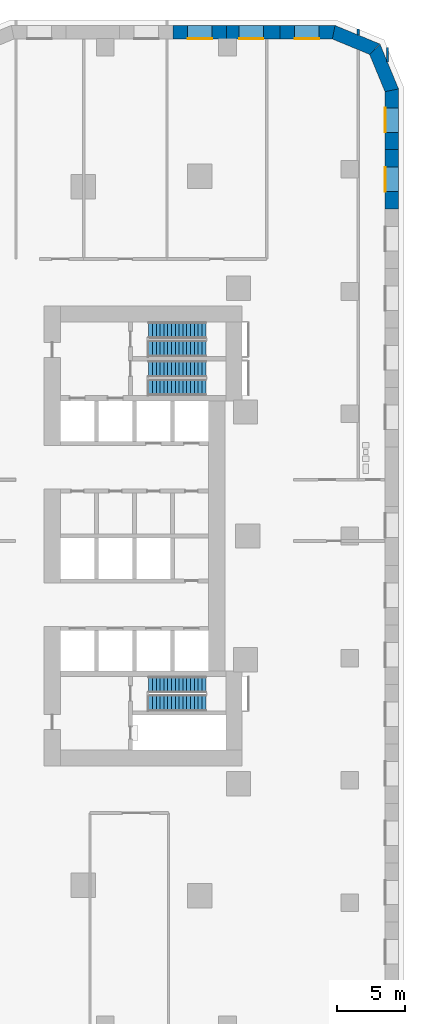
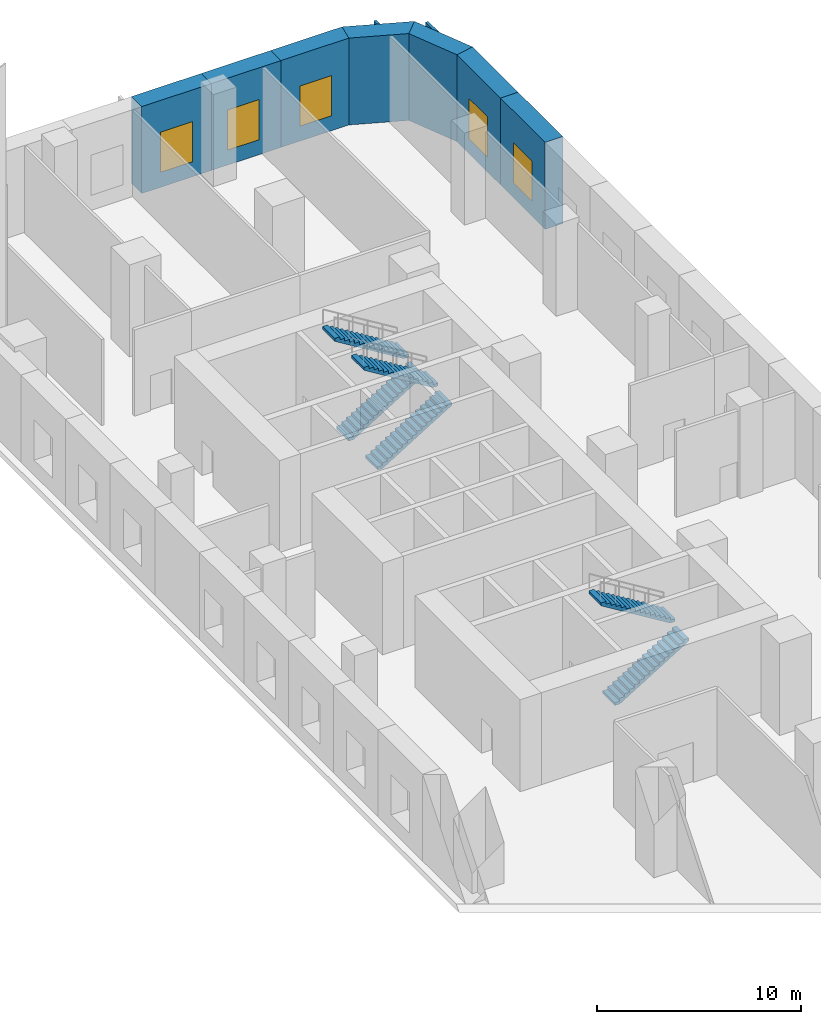
# One storey, part 6 of 12: 9 walls, 6 stair flights, 5 windows, 5 openings, 3 elements without a shape of their own.
"""IFC4 building model written with IfcOpenShell, lengths in metres."""

from ifc_helpers import new_model, si_unit, direction, frame, frame_2d, origin, place, context, subcontext, project, spatial, polyline, rectangle, outline, extrude, material, layer, layer_set, type_object, element, fill, aggregate, save


model = new_model("IFC4")

# Units and contexts
model_context = context("Model", 3, precision=1e-05, world=origin(), true_north=direction((0.0, 1.0)))
body_context = subcontext(model_context, "Body", "Model", "MODEL_VIEW")
ifc_project = project(units=[si_unit("LENGTHUNIT", "METRE"), si_unit("AREAUNIT", "SQUARE_METRE"), si_unit("VOLUMEUNIT", "CUBIC_METRE"), si_unit("PLANEANGLEUNIT", "RADIAN"), si_unit("MASSUNIT", "GRAM", prefix="KILO")], contexts=[model_context])

# Site, building, storey
site_placement = place(None, origin())
site = spatial("IfcSite", under=ifc_project, at=site_placement, CompositionType="ELEMENT")
building_placement = place(site_placement, origin())
building = spatial("IfcBuilding", under=site, at=building_placement, Name="Ostrand Prow Hotel Tower", CompositionType="ELEMENT")
storey_placement = place(building_placement, frame((0.0, 0.0, 8.0)))
storey = spatial("IfcBuildingStorey", under=building, at=storey_placement, Name="L01", CompositionType="ELEMENT", Elevation=8.0)

# Walls
ifc_material_1 = material(Name="Plasterboard partition")
ifc_layer_1 = layer(ifc_material_1, 0.14990234375)
ifc_layer_set_1 = layer_set([ifc_layer_1], Name="Plasterboard partition")
wall_type_1 = type_object("IfcWallType", Name="Partition 150 room partition", PredefinedType="PARTITIONING", material=ifc_layer_set_1)
wall_1_placement = place(storey_placement, frame((72.630615234375, 36.8916015625, 0.0), z_axis=(0.0, 0.0, 1.0), x_axis=(0.0, 1.0, 0.0)))
element("IfcWall", 1, at=wall_1_placement, inside=storey, type_object=wall_type_1, Name="ROOM PARTITION", PredefinedType="PARTITIONING", context=body_context, shape_type="SweptSolid", body=[
    extrude(rectangle(XDim=0.43310546875, YDim=0.14990234375, at=frame_2d((0.216552734375, 0.0))), origin(), (0.0, 0.0, 1.0), 5.14990234375),
])
wall_2_placement = place(storey_placement, frame((74.77490234375, 34.91259765625, 0.0), z_axis=(0.0, 0.0, 1.0), x_axis=(0.0, 1.0, 0.0)))
element("IfcWall", 2, at=wall_2_placement, inside=storey, type_object=wall_type_1, Name="ROOM PARTITION", PredefinedType="PARTITIONING", context=body_context, shape_type="SweptSolid", body=[
    extrude(rectangle(XDim=1.04541015625, YDim=0.14990234375, at=frame_2d((0.522705078125, 0.0))), origin(), (0.0, 0.0, 1.0), 5.14990234375),
])

# Wall, opening, window
ifc_material_2 = material(Name="Precast concrete C40/50", Category="concrete")
ifc_layer_2 = layer(ifc_material_2, 1.0)
ifc_layer_set_2 = layer_set([ifc_layer_2], Name="Precast concrete C40/50")
wall_type_2 = type_object("IfcWallType", Name="Portal pier wall 1000 mm", PredefinedType="NOTDEFINED", material=ifc_layer_set_2)
wall_3_placement = place(storey_placement, frame((75.10009765625, 24.068603515625, 0.0), z_axis=(0.0, 0.0, 1.0), x_axis=(0.0, 1.0, 0.0)))
wall_3 = element("IfcWall", 3, at=wall_3_placement, inside=storey, type_object=wall_type_2, Name="Portal pier wall L01-PP121", PredefinedType="NOTDEFINED", context=body_context, shape_type="SweptSolid", body=[
    extrude(outline(polyline([(0.0, -0.5), (4.376220703125, -0.5), (4.376220703125, 0.5), (0.0, 0.5), (0.0, -0.5)])), origin(), (0.0, 0.0, 1.0), 5.199951171875),
])
opening_1_placement = place(wall_3_placement, frame((1.2880859375, 0.0, 0.89990234375)))
opening_1 = element("IfcOpeningElement", 4, at=opening_1_placement, cuts=wall_3, Name="Opening WP2", PredefinedType="OPENING", context=body_context, shape_type="SweptSolid", body=[
    extrude(rectangle(XDim=1.800048828125, YDim=2.39990234375, at=frame_2d((0.89990234375, 1.199951171875))), frame((0.0, 0.510009765625, 0.0), z_axis=(0.0, -1.0, 0.0), x_axis=(1.0, 0.0, 0.0)), (0.0, 0.0, 1.0), 1.02001953125),
])
ifc_material_3 = material(Name="Insulated glass in bronze anodised frame", Category="glass")
window_type = type_object("IfcWindowType", Name="Portal window 1800x2400", PartitioningType="SINGLE_PANEL", PredefinedType="WINDOW", material=ifc_material_3)
window_1_placement = place(opening_1_placement, origin())
window_1 = element("IfcWindow", 5, at=window_1_placement, inside=storey, type_object=window_type, Name="Portal window L01-PP121", OverallHeight=2.39990234375, OverallWidth=1.800048828125, PartitioningType="SINGLE_PANEL", PredefinedType="WINDOW", context=body_context, shape_type="SweptSolid", body=[
    extrude(rectangle(XDim=1.800048828125, YDim=2.39990234375, at=frame_2d((0.89990234375, 1.199951171875))), frame((0.0, 0.5, 0.0), z_axis=(0.0, -1.0, 0.0), x_axis=(1.0, 0.0, 0.0)), (0.0, 0.0, 1.0), 0.06005859375),
])
fill(opening_1, window_1)

wall_4_placement = place(storey_placement, frame((75.10009765625, 28.44482421875, 0.0), z_axis=(0.0, 0.0, 1.0), x_axis=(0.0, 1.0, 0.0)))
wall_4 = element("IfcWall", 6, at=wall_4_placement, inside=storey, type_object=wall_type_2, Name="Portal pier wall L01-PP122", PredefinedType="NOTDEFINED", context=body_context, shape_type="SweptSolid", body=[
    extrude(outline(polyline([(0.0, -0.5), (4.475830078125, -0.5), (4.276611328125, 0.5), (0.0, 0.5), (0.0, -0.5)])), origin(), (0.0, 0.0, 1.0), 5.199951171875),
])
opening_2_placement = place(wall_4_placement, frame((1.2880859375, 0.0, 0.89990234375)))
opening_2 = element("IfcOpeningElement", 7, at=opening_2_placement, cuts=wall_4, Name="Opening WP2", PredefinedType="OPENING", context=body_context, shape_type="SweptSolid", body=[
    extrude(rectangle(XDim=1.800048828125, YDim=2.39990234375, at=frame_2d((0.89990234375, 1.199951171875))), frame((0.0, 0.510009765625, 0.0), z_axis=(0.0, -1.0, 0.0), x_axis=(1.0, 0.0, 0.0)), (0.0, 0.0, 1.0), 1.02001953125),
])
window_2_placement = place(opening_2_placement, origin())
window_2 = element("IfcWindow", 8, at=window_2_placement, inside=storey, type_object=window_type, Name="Portal window L01-PP122", OverallHeight=2.39990234375, OverallWidth=1.800048828125, PartitioningType="SINGLE_PANEL", PredefinedType="WINDOW", context=body_context, shape_type="SweptSolid", body=[
    extrude(rectangle(XDim=1.800048828125, YDim=2.39990234375, at=frame_2d((0.89990234375, 1.199951171875))), frame((0.0, 0.5, 0.0), z_axis=(0.0, -1.0, 0.0), x_axis=(1.0, 0.0, 0.0)), (0.0, 0.0, 1.0), 0.06005859375),
])
fill(opening_2, window_2)

# Walls
wall_5_placement = place(storey_placement, frame((75.10009765625, 32.821044921875, 0.0), z_axis=(0.0, 0.0, 1.0), x_axis=(-0.382724875529, 0.923862365102, 0.0)))
element("IfcWall", 9, at=wall_5_placement, inside=storey, type_object=wall_type_2, Name="Portal pier wall L01-PP123", PredefinedType="NOTDEFINED", context=body_context, shape_type="SweptSolid", body=[
    extrude(outline(polyline([(-0.099609375, -0.5), (3.48193359375, -0.5), (3.06787109375, 0.5), (0.099609375, 0.5), (-0.099609375, -0.5)])), origin(), (0.0, 0.0, 1.0), 5.199951171875),
])
wall_6_placement = place(storey_placement, frame((73.8466796875, 35.8466796875, 0.0), z_axis=(0.0, 0.0, 1.0), x_axis=(-0.923862365102, 0.382724875529, 0.0)))
element("IfcWall", 10, at=wall_6_placement, inside=storey, type_object=wall_type_2, Name="Portal pier wall L01-PP124", PredefinedType="NOTDEFINED", context=body_context, shape_type="SweptSolid", body=[
    extrude(outline(polyline([(-0.20703125, -0.5), (3.37451171875, -0.5), (3.17529296875, 0.5), (0.20703125, 0.5), (-0.20703125, -0.5)])), origin(), (0.0, 0.0, 1.0), 5.199951171875),
])

# Wall, opening, window
wall_7_placement = place(storey_placement, frame((70.821044921875, 37.10009765625, 0.0), z_axis=(0.0, 0.0, 1.0), x_axis=(-1.0, 0.0, 0.0)))
wall_7 = element("IfcWall", 11, at=wall_7_placement, inside=storey, type_object=wall_type_2, Name="Portal pier wall L01-PP125", PredefinedType="NOTDEFINED", context=body_context, shape_type="SweptSolid", body=[
    extrude(outline(polyline([(-0.099609375, -0.5), (3.9404296875, -0.5), (3.9404296875, 0.5), (0.099609375, 0.5), (-0.099609375, -0.5)])), origin(), (0.0, 0.0, 1.0), 5.199951171875),
])
opening_3_placement = place(wall_7_placement, frame((1.0703125, 0.0, 0.89990234375)))
opening_3 = element("IfcOpeningElement", 12, at=opening_3_placement, cuts=wall_7, Name="Opening WP2", PredefinedType="OPENING", context=body_context, shape_type="SweptSolid", body=[
    extrude(rectangle(XDim=1.800048828125, YDim=2.39990234375, at=frame_2d((0.89990234375, 1.199951171875))), frame((0.0, 0.510009765625, 0.0), z_axis=(0.0, -1.0, 0.0), x_axis=(1.0, 0.0, 0.0)), (0.0, 0.0, 1.0), 1.02001953125),
])
window_3_placement = place(opening_3_placement, origin())
window_3 = element("IfcWindow", 13, at=window_3_placement, inside=storey, type_object=window_type, Name="Portal window L01-PP125", OverallHeight=2.39990234375, OverallWidth=1.800048828125, PartitioningType="SINGLE_PANEL", PredefinedType="WINDOW", context=body_context, shape_type="SweptSolid", body=[
    extrude(rectangle(XDim=1.800048828125, YDim=2.39990234375, at=frame_2d((0.89990234375, 1.199951171875))), frame((0.0, 0.5, 0.0), z_axis=(0.0, -1.0, 0.0), x_axis=(1.0, 0.0, 0.0)), (0.0, 0.0, 1.0), 0.06005859375),
])
fill(opening_3, window_3)

wall_8_placement = place(storey_placement, frame((66.880615234375, 37.10009765625, 0.0), z_axis=(0.0, 0.0, 1.0), x_axis=(-1.0, 0.0, 0.0)))
wall_8 = element("IfcWall", 14, at=wall_8_placement, inside=storey, type_object=wall_type_2, Name="Portal pier wall L01-PP126", PredefinedType="NOTDEFINED", context=body_context, shape_type="SweptSolid", body=[
    extrude(outline(polyline([(0.0, -0.5), (3.9404296875, -0.5), (3.9404296875, 0.5), (0.0, 0.5), (0.0, -0.5)])), origin(), (0.0, 0.0, 1.0), 5.199951171875),
])
opening_4_placement = place(wall_8_placement, frame((1.230224609375, 0.0, 0.89990234375)))
opening_4 = element("IfcOpeningElement", 15, at=opening_4_placement, cuts=wall_8, Name="Opening WP2", PredefinedType="OPENING", context=body_context, shape_type="SweptSolid", body=[
    extrude(rectangle(XDim=1.800048828125, YDim=2.39990234375, at=frame_2d((0.89990234375, 1.199951171875))), frame((0.0, 0.510009765625, 0.0), z_axis=(0.0, -1.0, 0.0), x_axis=(1.0, 0.0, 0.0)), (0.0, 0.0, 1.0), 1.02001953125),
])
window_4_placement = place(opening_4_placement, origin())
window_4 = element("IfcWindow", 16, at=window_4_placement, inside=storey, type_object=window_type, Name="Portal window L01-PP126", OverallHeight=2.39990234375, OverallWidth=1.800048828125, PartitioningType="SINGLE_PANEL", PredefinedType="WINDOW", context=body_context, shape_type="SweptSolid", body=[
    extrude(rectangle(XDim=1.800048828125, YDim=2.39990234375, at=frame_2d((0.89990234375, 1.199951171875))), frame((0.0, 0.5, 0.0), z_axis=(0.0, -1.0, 0.0), x_axis=(1.0, 0.0, 0.0)), (0.0, 0.0, 1.0), 0.06005859375),
])
fill(opening_4, window_4)

wall_9_placement = place(storey_placement, frame((62.940185546875, 37.10009765625, 0.0), z_axis=(0.0, 0.0, 1.0), x_axis=(-1.0, 0.0, 0.0)))
wall_9 = element("IfcWall", 17, at=wall_9_placement, inside=storey, type_object=wall_type_2, Name="Portal pier wall L01-PP127", PredefinedType="NOTDEFINED", context=body_context, shape_type="SweptSolid", body=[
    extrude(outline(polyline([(0.0, -0.5), (3.940185546875, -0.5), (3.940185546875, 0.5), (0.0, 0.5), (0.0, -0.5)])), origin(), (0.0, 0.0, 1.0), 5.199951171875),
])
opening_5_placement = place(wall_9_placement, frame((1.0703125, 0.0, 0.89990234375)))
opening_5 = element("IfcOpeningElement", 18, at=opening_5_placement, cuts=wall_9, Name="Opening WP2", PredefinedType="OPENING", context=body_context, shape_type="SweptSolid", body=[
    extrude(rectangle(XDim=1.800048828125, YDim=2.39990234375, at=frame_2d((0.89990234375, 1.199951171875))), frame((0.0, 0.510009765625, 0.0), z_axis=(0.0, -1.0, 0.0), x_axis=(1.0, 0.0, 0.0)), (0.0, 0.0, 1.0), 1.02001953125),
])
window_5_placement = place(opening_5_placement, origin())
window_5 = element("IfcWindow", 19, at=window_5_placement, inside=storey, type_object=window_type, Name="Portal window L01-PP127", OverallHeight=2.39990234375, OverallWidth=1.800048828125, PartitioningType="SINGLE_PANEL", PredefinedType="WINDOW", context=body_context, shape_type="SweptSolid", body=[
    extrude(rectangle(XDim=1.800048828125, YDim=2.39990234375, at=frame_2d((0.89990234375, 1.199951171875))), frame((0.0, 0.5, 0.0), z_axis=(0.0, -1.0, 0.0), x_axis=(1.0, 0.0, 0.0)), (0.0, 0.0, 1.0), 0.06005859375),
])
fill(opening_5, window_5)

# Stair, stair flights
ifc_material_4 = material(Name="Concrete C40/50", Category="concrete")
stair_type = type_object("IfcStairType", Name="Exit stair 1200 middle zone", PredefinedType="HALF_TURN_STAIR", material=ifc_material_4)
stair_1_placement = place(storey_placement, origin())
stair_1 = element("IfcStair", 20, at=stair_1_placement, inside=storey, type_object=stair_type, Name="L01 ST1B", PredefinedType="HALF_TURN_STAIR")
ifc_material_5 = material(Name="Concrete C40/50", Category="concrete")
stair_flight_type = type_object("IfcStairFlightType", Name="Stair flight 1200 concrete", PredefinedType="STRAIGHT", material=ifc_material_5)
stair_flight_1_placement = place(storey_placement, frame((57.199951171875, 10.949951171875, 0.0), z_axis=(0.0, 0.0, 1.0), x_axis=(1.0, 0.0, 0.0)))
stair_flight_1 = element("IfcStairFlight", 21, at=stair_flight_1_placement, type_object=stair_flight_type, Name="ST1B flight 1", NumberOfRisers=16, NumberOfTreads=15, PredefinedType="STRAIGHT", RiserHeight=0.171875, TreadLength=0.28, context=body_context, shape_type="SweptSolid", body=[
    extrude(outline(polyline([(0.0, 0.0), (0.0, 0.171875), (0.280029296875, 0.171875), (0.280029296875, 0.34375), (0.56005859375, 0.34375), (0.56005859375, 0.515625), (0.840087890625, 0.515625), (0.840087890625, 0.6875), (1.1201171875, 0.6875), (1.1201171875, 0.859375), (1.39990234375, 0.859375), (1.39990234375, 1.03125), (1.679931640625, 1.03125), (1.679931640625, 1.203125), (1.9599609375, 1.203125), (1.9599609375, 1.375), (2.239990234375, 1.375), (2.239990234375, 1.546875), (2.52001953125, 1.546875), (2.52001953125, 1.71875), (2.800048828125, 1.71875), (2.800048828125, 1.890625), (3.080078125, 1.890625), (3.080078125, 2.0625), (3.360107421875, 2.0625), (3.360107421875, 2.234375), (3.639892578125, 2.234375), (3.639892578125, 2.40625), (3.919921875, 2.40625), (3.919921875, 2.578125), (4.199951171875, 2.578125), (4.199951171875, 2.75), (4.199951171875, 2.40234375), (0.28662109375, 0.0), (0.0, 0.0)])), frame((0.0, 0.60009765625, 0.0), z_axis=(0.0, -1.0, 0.0), x_axis=(1.0, 0.0, 0.0)), (0.0, 0.0, 1.0), 1.199951171875),
])
stair_flight_2_placement = place(storey_placement, frame((61.39990234375, 12.300048828125, 2.75), z_axis=(0.0, 0.0, 1.0), x_axis=(-1.0, 0.0, 0.0)))
stair_flight_2 = element("IfcStairFlight", 22, at=stair_flight_2_placement, type_object=stair_flight_type, Name="ST1B flight 2", NumberOfRisers=16, NumberOfTreads=15, PredefinedType="STRAIGHT", RiserHeight=0.171875, TreadLength=0.28, context=body_context, shape_type="SweptSolid", body=[
    extrude(outline(polyline([(0.0, 0.0), (0.0, 0.171875), (0.280029296875, 0.171875), (0.280029296875, 0.34375), (0.56005859375, 0.34375), (0.56005859375, 0.515625), (0.840087890625, 0.515625), (0.840087890625, 0.6875), (1.1201171875, 0.6875), (1.1201171875, 0.859375), (1.39990234375, 0.859375), (1.39990234375, 1.03125), (1.679931640625, 1.03125), (1.679931640625, 1.203125), (1.9599609375, 1.203125), (1.9599609375, 1.375), (2.239990234375, 1.375), (2.239990234375, 1.546875), (2.52001953125, 1.546875), (2.52001953125, 1.71875), (2.800048828125, 1.71875), (2.800048828125, 1.890625), (3.080078125, 1.890625), (3.080078125, 2.0625), (3.360107421875, 2.0625), (3.360107421875, 2.234375), (3.639892578125, 2.234375), (3.639892578125, 2.40625), (3.919921875, 2.40625), (3.919921875, 2.578125), (4.199951171875, 2.578125), (4.199951171875, 2.75), (4.199951171875, 2.40234375), (0.28662109375, 0.0), (0.0, 0.0)])), frame((0.0, 0.60009765625, 0.0), z_axis=(0.0, -1.0, 0.0), x_axis=(1.0, 0.0, 0.0)), (0.0, 0.0, 1.0), 1.199951171875),
])
aggregate(stair_1, [stair_flight_1, stair_flight_2])

stair_2_placement = place(storey_placement, origin())
stair_2 = element("IfcStair", 23, at=stair_2_placement, inside=storey, type_object=stair_type, Name="L01 ST3B", PredefinedType="HALF_TURN_STAIR")
stair_flight_3_placement = place(storey_placement, frame((57.199951171875, 13.800048828125, 0.0), z_axis=(0.0, 0.0, 1.0), x_axis=(1.0, 0.0, 0.0)))
stair_flight_3 = element("IfcStairFlight", 24, at=stair_flight_3_placement, type_object=stair_flight_type, Name="ST3B flight 1", NumberOfRisers=16, NumberOfTreads=15, PredefinedType="STRAIGHT", RiserHeight=0.171875, TreadLength=0.28, context=body_context, shape_type="SweptSolid", body=[
    extrude(outline(polyline([(0.0, 0.0), (0.0, 0.171875), (0.280029296875, 0.171875), (0.280029296875, 0.34375), (0.56005859375, 0.34375), (0.56005859375, 0.515625), (0.840087890625, 0.515625), (0.840087890625, 0.6875), (1.1201171875, 0.6875), (1.1201171875, 0.859375), (1.39990234375, 0.859375), (1.39990234375, 1.03125), (1.679931640625, 1.03125), (1.679931640625, 1.203125), (1.9599609375, 1.203125), (1.9599609375, 1.375), (2.239990234375, 1.375), (2.239990234375, 1.546875), (2.52001953125, 1.546875), (2.52001953125, 1.71875), (2.800048828125, 1.71875), (2.800048828125, 1.890625), (3.080078125, 1.890625), (3.080078125, 2.0625), (3.360107421875, 2.0625), (3.360107421875, 2.234375), (3.639892578125, 2.234375), (3.639892578125, 2.40625), (3.919921875, 2.40625), (3.919921875, 2.578125), (4.199951171875, 2.578125), (4.199951171875, 2.75), (4.199951171875, 2.40234375), (0.28662109375, 0.0), (0.0, 0.0)])), frame((0.0, 0.60009765625, 0.0), z_axis=(0.0, -1.0, 0.0), x_axis=(1.0, 0.0, 0.0)), (0.0, 0.0, 1.0), 1.199951171875),
])
stair_flight_4_placement = place(storey_placement, frame((61.39990234375, 15.14990234375, 2.75), z_axis=(0.0, 0.0, 1.0), x_axis=(-1.0, 0.0, 0.0)))
stair_flight_4 = element("IfcStairFlight", 25, at=stair_flight_4_placement, type_object=stair_flight_type, Name="ST3B flight 2", NumberOfRisers=16, NumberOfTreads=15, PredefinedType="STRAIGHT", RiserHeight=0.171875, TreadLength=0.28, context=body_context, shape_type="SweptSolid", body=[
    extrude(outline(polyline([(0.0, 0.0), (0.0, 0.171875), (0.280029296875, 0.171875), (0.280029296875, 0.34375), (0.56005859375, 0.34375), (0.56005859375, 0.515625), (0.840087890625, 0.515625), (0.840087890625, 0.6875), (1.1201171875, 0.6875), (1.1201171875, 0.859375), (1.39990234375, 0.859375), (1.39990234375, 1.03125), (1.679931640625, 1.03125), (1.679931640625, 1.203125), (1.9599609375, 1.203125), (1.9599609375, 1.375), (2.239990234375, 1.375), (2.239990234375, 1.546875), (2.52001953125, 1.546875), (2.52001953125, 1.71875), (2.800048828125, 1.71875), (2.800048828125, 1.890625), (3.080078125, 1.890625), (3.080078125, 2.0625), (3.360107421875, 2.0625), (3.360107421875, 2.234375), (3.639892578125, 2.234375), (3.639892578125, 2.40625), (3.919921875, 2.40625), (3.919921875, 2.578125), (4.199951171875, 2.578125), (4.199951171875, 2.75), (4.199951171875, 2.40234375), (0.28662109375, 0.0), (0.0, 0.0)])), frame((0.0, 0.60009765625, 0.0), z_axis=(0.0, -1.0, 0.0), x_axis=(1.0, 0.0, 0.0)), (0.0, 0.0, 1.0), 1.199951171875),
])
aggregate(stair_2, [stair_flight_3, stair_flight_4])

stair_3_placement = place(storey_placement, origin())
stair_3 = element("IfcStair", 26, at=stair_3_placement, inside=storey, type_object=stair_type, Name="L01 ST2B", PredefinedType="HALF_TURN_STAIR")
stair_flight_5_placement = place(storey_placement, frame((57.199951171875, -12.300048828125, 0.0), z_axis=(0.0, 0.0, 1.0), x_axis=(1.0, 0.0, 0.0)))
stair_flight_5 = element("IfcStairFlight", 27, at=stair_flight_5_placement, type_object=stair_flight_type, Name="ST2B flight 1", NumberOfRisers=16, NumberOfTreads=15, PredefinedType="STRAIGHT", RiserHeight=0.171875, TreadLength=0.28, context=body_context, shape_type="SweptSolid", body=[
    extrude(outline(polyline([(0.0, 0.0), (0.0, 0.171875), (0.280029296875, 0.171875), (0.280029296875, 0.34375), (0.56005859375, 0.34375), (0.56005859375, 0.515625), (0.840087890625, 0.515625), (0.840087890625, 0.6875), (1.1201171875, 0.6875), (1.1201171875, 0.859375), (1.39990234375, 0.859375), (1.39990234375, 1.03125), (1.679931640625, 1.03125), (1.679931640625, 1.203125), (1.9599609375, 1.203125), (1.9599609375, 1.375), (2.239990234375, 1.375), (2.239990234375, 1.546875), (2.52001953125, 1.546875), (2.52001953125, 1.71875), (2.800048828125, 1.71875), (2.800048828125, 1.890625), (3.080078125, 1.890625), (3.080078125, 2.0625), (3.360107421875, 2.0625), (3.360107421875, 2.234375), (3.639892578125, 2.234375), (3.639892578125, 2.40625), (3.919921875, 2.40625), (3.919921875, 2.578125), (4.199951171875, 2.578125), (4.199951171875, 2.75), (4.199951171875, 2.40234375), (0.28662109375, 0.0), (0.0, 0.0)])), frame((0.0, 0.60009765625, 0.0), z_axis=(0.0, -1.0, 0.0), x_axis=(1.0, 0.0, 0.0)), (0.0, 0.0, 1.0), 1.199951171875),
])
stair_flight_6_placement = place(storey_placement, frame((61.39990234375, -10.949951171875, 2.75), z_axis=(0.0, 0.0, 1.0), x_axis=(-1.0, 0.0, 0.0)))
stair_flight_6 = element("IfcStairFlight", 28, at=stair_flight_6_placement, type_object=stair_flight_type, Name="ST2B flight 2", NumberOfRisers=16, NumberOfTreads=15, PredefinedType="STRAIGHT", RiserHeight=0.171875, TreadLength=0.28, context=body_context, shape_type="SweptSolid", body=[
    extrude(outline(polyline([(0.0, 0.0), (0.0, 0.171875), (0.280029296875, 0.171875), (0.280029296875, 0.34375), (0.56005859375, 0.34375), (0.56005859375, 0.515625), (0.840087890625, 0.515625), (0.840087890625, 0.6875), (1.1201171875, 0.6875), (1.1201171875, 0.859375), (1.39990234375, 0.859375), (1.39990234375, 1.03125), (1.679931640625, 1.03125), (1.679931640625, 1.203125), (1.9599609375, 1.203125), (1.9599609375, 1.375), (2.239990234375, 1.375), (2.239990234375, 1.546875), (2.52001953125, 1.546875), (2.52001953125, 1.71875), (2.800048828125, 1.71875), (2.800048828125, 1.890625), (3.080078125, 1.890625), (3.080078125, 2.0625), (3.360107421875, 2.0625), (3.360107421875, 2.234375), (3.639892578125, 2.234375), (3.639892578125, 2.40625), (3.919921875, 2.40625), (3.919921875, 2.578125), (4.199951171875, 2.578125), (4.199951171875, 2.75), (4.199951171875, 2.40234375), (0.28662109375, 0.0), (0.0, 0.0)])), frame((0.0, 0.60009765625, 0.0), z_axis=(0.0, -1.0, 0.0), x_axis=(1.0, 0.0, 0.0)), (0.0, 0.0, 1.0), 1.199951171875),
])
aggregate(stair_3, [stair_flight_5, stair_flight_6])

save(model, "model.ifc")
